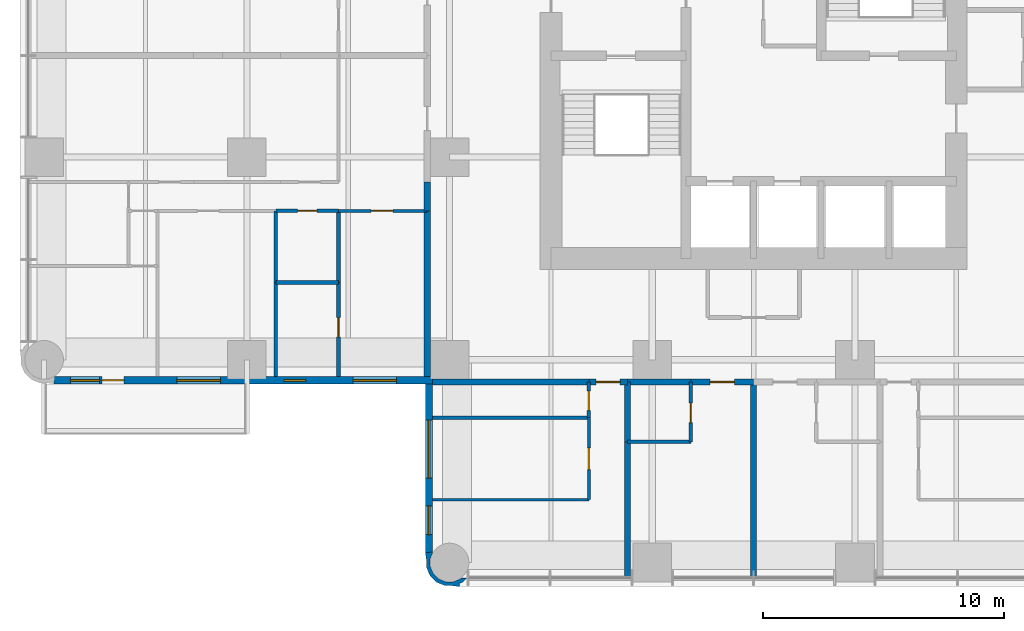
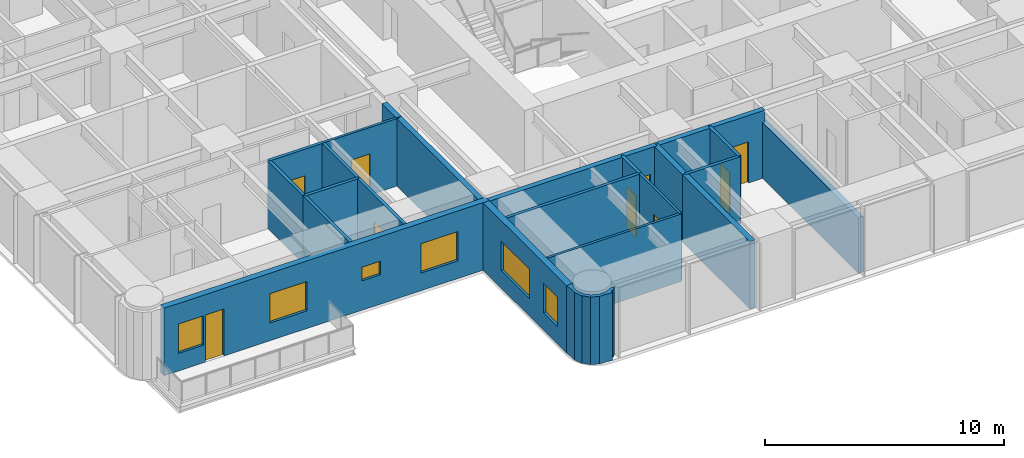
# One storey, part 6 of 14: 25 walls, 9 doors, 6 windows, 15 openings.
"""IFC4 building model written with IfcOpenShell, lengths in metres."""

from ifc_helpers import new_model, si_unit, direction, frame, frame_2d, origin, place, context, subcontext, project, spatial, polyline, rectangle, outline, extrude, material, layer, layer_set, type_object, element, fill, save


model = new_model("IFC4")

# Units and contexts
model_context = context("Model", 3, precision=1e-05, world=origin(), true_north=direction((0.0, 1.0)))
body_context = subcontext(model_context, "Body", "Model", "MODEL_VIEW")
ifc_project = project(units=[si_unit("LENGTHUNIT", "METRE"), si_unit("AREAUNIT", "SQUARE_METRE"), si_unit("VOLUMEUNIT", "CUBIC_METRE"), si_unit("PLANEANGLEUNIT", "RADIAN"), si_unit("MASSUNIT", "GRAM", prefix="KILO")], contexts=[model_context])

# Site, building, storey
site_placement = place(None, origin())
site = spatial("IfcSite", under=ifc_project, at=site_placement, CompositionType="ELEMENT")
building_placement = place(site_placement, origin())
building = spatial("IfcBuilding", under=site, at=building_placement, Name="Torre Alcanfor", CompositionType="ELEMENT")
storey_placement = place(building_placement, frame((0.0, 0.0, 159.300048828125)))
storey = spatial("IfcBuildingStorey", under=building, at=storey_placement, Name="L41", CompositionType="ELEMENT", Elevation=159.300048828125)

# Wall, opening, door
ifc_material_1 = material(Name="Concrete block masonry, hollow blocks NMX-C-404 9 MPa", Category="masonry")
ifc_layer_1 = layer(ifc_material_1, 0.25)
ifc_layer_set_1 = layer_set([ifc_layer_1], Name="Apartment entrance wall 250 EI 60")
wall_type_1 = type_object("IfcWallType", Name="Apartment entrance wall 250 EI 60", PredefinedType="PARTITIONING", material=ifc_layer_set_1)
wall_1_placement = place(storey_placement, frame((29.39990234375, 15.875, 0.0), z_axis=(0.0, 0.0, 1.0), x_axis=(-1.0, 0.0, 0.0)))
wall_1 = element("IfcWall", 1, at=wall_1_placement, inside=storey, type_object=wall_type_1, Name="Partition L41-CORR / L41-S2A-STUDIO", PredefinedType="PARTITIONING", context=body_context, shape_type="SweptSolid", body=[
    extrude(rectangle(XDim=2.599853515625, YDim=0.25, at=frame_2d((1.2998046875, 0.0))), origin(), (0.0, 0.0, 1.0), 3.449951171875),
])
opening_1_placement = place(wall_1_placement, frame((0.800048828125, 0.0, 0.0)))
opening_1 = element("IfcOpeningElement", 2, at=opening_1_placement, cuts=wall_1, Name="Opening D-A1", PredefinedType="OPENING", context=body_context, shape_type="SweptSolid", body=[
    extrude(rectangle(XDim=1.0, YDim=2.10009765625, at=frame_2d((0.5, 1.050048828125))), frame((0.0, 0.135009765625, 0.0), z_axis=(0.0, -1.0, 0.0), x_axis=(1.0, 0.0, 0.0)), (0.0, 0.0, 1.0), 0.27001953125),
])
ifc_material_2 = material(Name="Galvanised steel sheet ASTM A653", Category="steel")
door_type_1 = type_object("IfcDoorType", Name="Apartment entrance door FD60 1000x2100", OperationType="SINGLE_SWING_LEFT", PredefinedType="DOOR", material=ifc_material_2)
door_1_placement = place(opening_1_placement, origin())
door_1 = element("IfcDoor", 3, at=door_1_placement, inside=storey, type_object=door_type_1, Name="Apartment entrance L41-S2A", OperationType="SINGLE_SWING_LEFT", OverallHeight=2.10009765625, OverallWidth=1.0, PredefinedType="DOOR", context=body_context, shape_type="SweptSolid", body=[
    extrude(rectangle(XDim=1.0, YDim=2.10009765625, at=frame_2d((0.5, 1.050048828125))), frame((0.0, 0.02490234375, 0.0), z_axis=(0.0, -1.0, 0.0), x_axis=(1.0, 0.0, 0.0)), (0.0, 0.0, 1.0), 0.050048828125),
])
fill(opening_1, door_1)

# Wall
wall_2_placement = place(storey_placement, frame((26.800048828125, 15.875, 0.0), z_axis=(0.0, 0.0, 1.0), x_axis=(-1.0, 0.0, 0.0)))
element("IfcWall", 4, at=wall_2_placement, inside=storey, type_object=wall_type_1, Name="Partition L41-CORR / L41-S2A-BATH", PredefinedType="PARTITIONING", context=body_context, shape_type="SweptSolid", body=[
    extrude(rectangle(XDim=2.629150390625, YDim=0.25, at=frame_2d((1.314453125, 0.0))), origin(), (0.0, 0.0, 1.0), 3.449951171875),
])

# Wall, opening, door
wall_3_placement = place(storey_placement, frame((24.1708984375, 15.875, 0.0), z_axis=(0.0, 0.0, 1.0), x_axis=(-1.0, 0.0, 0.0)))
wall_3 = element("IfcWall", 5, at=wall_3_placement, inside=storey, type_object=wall_type_1, Name="Partition L41-CORR / L41-S2B-LIVING", PredefinedType="PARTITIONING", context=body_context, shape_type="SweptSolid", body=[
    extrude(rectangle(XDim=1.599853515625, YDim=0.25, at=frame_2d((0.7998046875, 0.0))), origin(), (0.0, 0.0, 1.0), 3.449951171875),
])
opening_2_placement = place(wall_3_placement, frame((0.300048828125, 0.0, 0.0)))
opening_2 = element("IfcOpeningElement", 6, at=opening_2_placement, cuts=wall_3, Name="Opening D-A1", PredefinedType="OPENING", context=body_context, shape_type="SweptSolid", body=[
    extrude(rectangle(XDim=1.0, YDim=2.10009765625, at=frame_2d((0.5, 1.050048828125))), frame((0.0, 0.135009765625, 0.0), z_axis=(0.0, -1.0, 0.0), x_axis=(1.0, 0.0, 0.0)), (0.0, 0.0, 1.0), 0.27001953125),
])
door_2_placement = place(opening_2_placement, origin())
door_2 = element("IfcDoor", 7, at=door_2_placement, inside=storey, type_object=door_type_1, Name="Apartment entrance L41-S2B", OperationType="SINGLE_SWING_LEFT", OverallHeight=2.10009765625, OverallWidth=1.0, PredefinedType="DOOR", context=body_context, shape_type="SweptSolid", body=[
    extrude(rectangle(XDim=1.0, YDim=2.10009765625, at=frame_2d((0.5, 1.050048828125))), frame((0.0, 0.02490234375, 0.0), z_axis=(0.0, -1.0, 0.0), x_axis=(1.0, 0.0, 0.0)), (0.0, 0.0, 1.0), 0.050048828125),
])
fill(opening_2, door_2)

# Walls
wall_4_placement = place(storey_placement, frame((22.571044921875, 15.875, 0.0), z_axis=(0.0, 0.0, 1.0), x_axis=(-1.0, 0.0, 0.0)))
element("IfcWall", 8, at=wall_4_placement, inside=storey, type_object=wall_type_1, Name="Partition L41-CORR / L41-S2B-BATH", PredefinedType="PARTITIONING", context=body_context, shape_type="SweptSolid", body=[
    extrude(rectangle(XDim=6.470947265625, YDim=0.25, at=frame_2d((3.2353515625, 0.0))), origin(), (0.0, 0.0, 1.0), 3.449951171875),
])
wall_5_placement = place(storey_placement, frame((15.875, 22.970947265625, 0.0), z_axis=(0.0, 0.0, 1.0), x_axis=(0.0, 1.0, 0.0)))
element("IfcWall", 9, at=wall_5_placement, inside=storey, type_object=wall_type_1, Name="Partition L41-CORR / L41-W1-HALL", PredefinedType="PARTITIONING", context=body_context, shape_type="SweptSolid", body=[
    extrude(rectangle(XDim=1.199951171875, YDim=0.25, at=frame_2d((0.60009765625, 0.0))), origin(), (0.0, 0.0, 1.0), 3.449951171875),
])
wall_6_placement = place(storey_placement, frame((15.875, 16.10009765625, 0.0), z_axis=(0.0, 0.0, 1.0), x_axis=(0.0, 1.0, 0.0)))
element("IfcWall", 10, at=wall_6_placement, inside=storey, type_object=wall_type_1, Name="Partition L41-CORR / L41-W1-SERV", PredefinedType="PARTITIONING", context=body_context, shape_type="SweptSolid", body=[
    extrude(rectangle(XDim=6.870849609375, YDim=0.25, at=frame_2d((3.435546875, 0.0))), origin(), (0.0, 0.0, 1.0), 3.449951171875),
])
ifc_material_3 = material(Name="Gypsum board on steel studs", Category="steel")
ifc_layer_2 = layer(ifc_material_3, 0.1201171875)
ifc_layer_set_2 = layer_set([ifc_layer_2], Name="Apartment partition 120")
wall_type_2 = type_object("IfcWallType", Name="Apartment partition 120", PredefinedType="PARTITIONING", material=ifc_layer_set_2)
wall_7_placement = place(storey_placement, frame((16.10009765625, 11.0, 0.0), z_axis=(0.0, 0.0, 1.0), x_axis=(1.0, 0.0, 0.0)))
element("IfcWall", 11, at=wall_7_placement, inside=storey, type_object=wall_type_2, Name="Partition L41-S2B-LIVING / L41-S2B-MASTER", PredefinedType="PARTITIONING", context=body_context, shape_type="SweptSolid", body=[
    extrude(rectangle(XDim=6.470947265625, YDim=0.1201171875, at=frame_2d((3.2353515625, 0.0))), origin(), (0.0, 0.0, 1.0), 3.449951171875),
])

# Wall, opening, door
wall_8_placement = place(storey_placement, frame((22.571044921875, 11.0, 0.0), z_axis=(0.0, 0.0, 1.0), x_axis=(0.0, 1.0, 0.0)))
wall_8 = element("IfcWall", 12, at=wall_8_placement, inside=storey, type_object=wall_type_2, Name="Partition L41-S2B-LIVING / L41-S2B-MASTER", PredefinedType="PARTITIONING", context=body_context, shape_type="SweptSolid", body=[
    extrude(rectangle(XDim=3.39990234375, YDim=0.1201171875, at=frame_2d((1.699951171875, 0.0))), origin(), (0.0, 0.0, 1.0), 3.449951171875),
])
opening_3_placement = place(wall_8_placement, frame((1.25, 0.0, 0.0)))
opening_3 = element("IfcOpeningElement", 13, at=opening_3_placement, cuts=wall_8, Name="Opening D-R1", PredefinedType="OPENING", context=body_context, shape_type="SweptSolid", body=[
    extrude(rectangle(XDim=0.89990234375, YDim=2.10009765625, at=frame_2d((0.449951171875, 1.050048828125))), frame((0.0, 0.070068359375, 0.0), z_axis=(0.0, -1.0, 0.0), x_axis=(1.0, 0.0, 0.0)), (0.0, 0.0, 1.0), 0.14013671875),
])
ifc_material_4 = material(Name="Timber", Category="wood")
door_type_2 = type_object("IfcDoorType", Name="Internal door 900x2100", OperationType="SINGLE_SWING_LEFT", PredefinedType="DOOR", material=ifc_material_4)
door_3_placement = place(opening_3_placement, origin())
door_3 = element("IfcDoor", 14, at=door_3_placement, inside=storey, type_object=door_type_2, Name="Door L41-S2B master", OperationType="SINGLE_SWING_LEFT", OverallHeight=2.10009765625, OverallWidth=0.89990234375, PredefinedType="DOOR", context=body_context, shape_type="SweptSolid", body=[
    extrude(rectangle(XDim=0.89990234375, YDim=2.10009765625, at=frame_2d((0.449951171875, 1.050048828125))), frame((0.0, 0.02490234375, 0.0), z_axis=(0.0, -1.0, 0.0), x_axis=(1.0, 0.0, 0.0)), (0.0, 0.0, 1.0), 0.050048828125),
])
fill(opening_3, door_3)

wall_9_placement = place(storey_placement, frame((12.199951171875, 22.970947265625, 0.0), z_axis=(0.0, 0.0, 1.0), x_axis=(1.0, 0.0, 0.0)))
wall_9 = element("IfcWall", 15, at=wall_9_placement, inside=storey, type_object=wall_type_2, Name="Partition L41-W1-HALL / L41-W1-SERV", PredefinedType="PARTITIONING", context=body_context, shape_type="SweptSolid", body=[
    extrude(rectangle(XDim=3.675048828125, YDim=0.1201171875, at=frame_2d((1.83740234375, 0.0))), origin(), (0.0, 0.0, 1.0), 3.449951171875),
])
opening_4_placement = place(wall_9_placement, frame((1.35009765625, 0.0, 0.0)))
opening_4 = element("IfcOpeningElement", 16, at=opening_4_placement, cuts=wall_9, Name="Opening D-R1", PredefinedType="OPENING", context=body_context, shape_type="SweptSolid", body=[
    extrude(rectangle(XDim=0.89990234375, YDim=2.10009765625, at=frame_2d((0.449951171875, 1.050048828125))), frame((0.0, 0.070068359375, 0.0), z_axis=(0.0, -1.0, 0.0), x_axis=(1.0, 0.0, 0.0)), (0.0, 0.0, 1.0), 0.14013671875),
])
door_4_placement = place(opening_4_placement, frame((0.89990234375, 0.0, 0.0), z_axis=(0.0, 0.0, 1.0), x_axis=(-1.0, 0.0, 0.0)))
door_4 = element("IfcDoor", 17, at=door_4_placement, inside=storey, type_object=door_type_2, Name="Door L41-W1 serv", OperationType="SINGLE_SWING_RIGHT", OverallHeight=2.10009765625, OverallWidth=0.89990234375, PredefinedType="DOOR", context=body_context, shape_type="SweptSolid", body=[
    extrude(rectangle(XDim=0.89990234375, YDim=2.10009765625, at=frame_2d((0.449951171875, 1.050048828125))), frame((0.0, 0.025146484375, 0.0), z_axis=(0.0, -1.0, 0.0), x_axis=(1.0, 0.0, 0.0)), (0.0, 0.0, 1.0), 0.050048828125),
])
fill(opening_4, door_4)

# Wall, openings, door, windows
ifc_material_5 = material(Name="Limestone cladding", Category="masonry")
ifc_layer_3 = layer(ifc_material_5, 0.0400390625, Name="Facing")
ifc_material_6 = material(Name="Ventilated air cavity")
ifc_layer_4 = layer(ifc_material_6, 0.02001953125, ventilated=True, Name="Ventilated joint")
ifc_material_7 = material(Name="Mineral wool insulation", Category="insulation")
ifc_layer_5 = layer(ifc_material_7, 0.10009765625, Name="Insulation")
ifc_material_8 = material(Name="Concrete f'c 35 MPa", Category="concrete")
ifc_layer_6 = layer(ifc_material_8, 0.139892578125, Name="Backing")
ifc_layer_set_3 = layer_set([ifc_layer_3, ifc_layer_4, ifc_layer_5, ifc_layer_6], Name="External wall stone-clad 300")
wall_type_3 = type_object("IfcWallType", Name="External wall stone-clad 300", PredefinedType="SOLIDWALL", material=ifc_layer_set_3)
wall_10_placement = place(storey_placement, frame((0.39990234375, 15.949951171875, 0.0), z_axis=(0.0, 0.0, 1.0), x_axis=(1.0, 0.0, 0.0)))
wall_10 = element("IfcWall", 18, at=wall_10_placement, inside=storey, type_object=wall_type_3, Name="External wall L41 3", PredefinedType="SOLIDWALL", context=body_context, shape_type="SweptSolid", body=[
    extrude(rectangle(XDim=15.7001953125, YDim=0.300048828125, at=frame_2d((7.85009765625, 0.0))), origin(), (0.0, 0.0, 1.0), 3.449951171875),
])
opening_5_placement = place(wall_10_placement, frame((12.39990234375, 0.0, 0.89990234375)))
opening_5 = element("IfcOpeningElement", 19, at=opening_5_placement, cuts=wall_10, Name="Opening W2", PredefinedType="OPENING", context=body_context, shape_type="SweptSolid", body=[
    extrude(rectangle(XDim=1.800048828125, YDim=1.5, at=frame_2d((0.89990234375, 0.75))), frame((0.0, 0.159912109375, 0.0), z_axis=(0.0, -1.0, 0.0), x_axis=(1.0, 0.0, 0.0)), (0.0, 0.0, 1.0), 0.320068359375),
])
opening_6_placement = place(wall_10_placement, frame((9.550048828125, 0.0, 1.5)))
opening_6 = element("IfcOpeningElement", 20, at=opening_6_placement, cuts=wall_10, Name="Opening W3", PredefinedType="OPENING", context=body_context, shape_type="SweptSolid", body=[
    extrude(rectangle(XDim=0.89990234375, YDim=0.699951171875, at=frame_2d((0.449951171875, 0.35009765625))), frame((0.0, 0.159912109375, 0.0), z_axis=(0.0, -1.0, 0.0), x_axis=(1.0, 0.0, 0.0)), (0.0, 0.0, 1.0), 0.320068359375),
])
opening_7_placement = place(wall_10_placement, frame((5.10009765625, 0.0, 0.89990234375)))
opening_7 = element("IfcOpeningElement", 21, at=opening_7_placement, cuts=wall_10, Name="Opening W2", PredefinedType="OPENING", context=body_context, shape_type="SweptSolid", body=[
    extrude(rectangle(XDim=1.800048828125, YDim=1.5, at=frame_2d((0.89990234375, 0.75))), frame((0.0, 0.159912109375, 0.0), z_axis=(0.0, -1.0, 0.0), x_axis=(1.0, 0.0, 0.0)), (0.0, 0.0, 1.0), 0.320068359375),
])
opening_8_placement = place(wall_10_placement, frame((2.0, 0.0, 0.0)))
opening_8 = element("IfcOpeningElement", 22, at=opening_8_placement, cuts=wall_10, Name="Opening D-B1", PredefinedType="OPENING", context=body_context, shape_type="SweptSolid", body=[
    extrude(rectangle(XDim=0.89990234375, YDim=2.39990234375, at=frame_2d((0.449951171875, 1.199951171875))), frame((0.0, 0.159912109375, 0.0), z_axis=(0.0, -1.0, 0.0), x_axis=(1.0, 0.0, 0.0)), (0.0, 0.0, 1.0), 0.320068359375),
])
opening_9_placement = place(wall_10_placement, frame((0.699951171875, 0.0, 0.89990234375)))
opening_9 = element("IfcOpeningElement", 23, at=opening_9_placement, cuts=wall_10, Name="Opening W4", PredefinedType="OPENING", context=body_context, shape_type="SweptSolid", body=[
    extrude(rectangle(XDim=1.199951171875, YDim=1.5, at=frame_2d((0.60009765625, 0.75))), frame((0.0, 0.159912109375, 0.0), z_axis=(0.0, -1.0, 0.0), x_axis=(1.0, 0.0, 0.0)), (0.0, 0.0, 1.0), 0.320068359375),
])
ifc_material_9 = material(Name="Aluminium and glass", Category="aluminium")
door_type_3 = type_object("IfcDoorType", Name="Balcony door glazed 900x2400", OperationType="SINGLE_SWING_LEFT", PredefinedType="DOOR", material=ifc_material_9)
door_5_placement = place(opening_8_placement, origin())
door_5 = element("IfcDoor", 24, at=door_5_placement, inside=storey, type_object=door_type_3, Name="Balcony door L41-W1", OperationType="SINGLE_SWING_RIGHT", OverallHeight=2.39990234375, OverallWidth=0.89990234375, PredefinedType="DOOR", context=body_context, shape_type="SweptSolid", body=[
    extrude(rectangle(XDim=0.89990234375, YDim=2.39990234375, at=frame_2d((0.449951171875, 1.199951171875))), frame((0.0, 0.02490234375, 0.0), z_axis=(0.0, -1.0, 0.0), x_axis=(1.0, 0.0, 0.0)), (0.0, 0.0, 1.0), 0.050048828125),
])
fill(opening_8, door_5)
ifc_material_10 = material(Name="Aluminium frame with clear double glazing", Category="aluminium")
window_type_1 = type_object("IfcWindowType", Name="Window bathroom 900x700", PartitioningType="SINGLE_PANEL", PredefinedType="WINDOW", material=ifc_material_10)
window_1_placement = place(opening_6_placement, origin())
window_1 = element("IfcWindow", 25, at=window_1_placement, inside=storey, type_object=window_type_1, Name="Window W3 L41-W1", OverallHeight=0.699951171875, OverallWidth=0.89990234375, PartitioningType="SINGLE_PANEL", PredefinedType="WINDOW", context=body_context, shape_type="SweptSolid", body=[
    extrude(rectangle(XDim=0.89990234375, YDim=0.699951171875, at=frame_2d((0.449951171875, 0.35009765625))), frame((0.0, 0.030029296875, 0.0), z_axis=(0.0, -1.0, 0.0), x_axis=(1.0, 0.0, 0.0)), (0.0, 0.0, 1.0), 0.06005859375),
])
fill(opening_6, window_1)
ifc_material_11 = material(Name="Aluminium frame with clear double glazing", Category="aluminium")
window_type_2 = type_object("IfcWindowType", Name="Window bedroom 1200x1500", PartitioningType="SINGLE_PANEL", PredefinedType="WINDOW", material=ifc_material_11)
window_2_placement = place(opening_9_placement, origin())
window_2 = element("IfcWindow", 26, at=window_2_placement, inside=storey, type_object=window_type_2, Name="Window W4 L41-W1", OverallHeight=1.5, OverallWidth=1.199951171875, PartitioningType="SINGLE_PANEL", PredefinedType="WINDOW", context=body_context, shape_type="SweptSolid", body=[
    extrude(rectangle(XDim=1.199951171875, YDim=1.5, at=frame_2d((0.60009765625, 0.75))), frame((0.0, 0.030029296875, 0.0), z_axis=(0.0, -1.0, 0.0), x_axis=(1.0, 0.0, 0.0)), (0.0, 0.0, 1.0), 0.06005859375),
])
fill(opening_9, window_2)
ifc_material_12 = material(Name="Aluminium frame with clear double glazing", Category="aluminium")
window_type_3 = type_object("IfcWindowType", Name="Window bedroom 1800x1500", PartitioningType="SINGLE_PANEL", PredefinedType="WINDOW", material=ifc_material_12)
window_3_placement = place(opening_5_placement, origin())
window_3 = element("IfcWindow", 27, at=window_3_placement, inside=storey, type_object=window_type_3, Name="Window W2 L41-W1", OverallHeight=1.5, OverallWidth=1.800048828125, PartitioningType="SINGLE_PANEL", PredefinedType="WINDOW", context=body_context, shape_type="SweptSolid", body=[
    extrude(rectangle(XDim=1.800048828125, YDim=1.5, at=frame_2d((0.89990234375, 0.75))), frame((0.0, 0.030029296875, 0.0), z_axis=(0.0, -1.0, 0.0), x_axis=(1.0, 0.0, 0.0)), (0.0, 0.0, 1.0), 0.06005859375),
])
fill(opening_5, window_3)
window_4_placement = place(opening_7_placement, origin())
window_4 = element("IfcWindow", 28, at=window_4_placement, inside=storey, type_object=window_type_3, Name="Window W2 L41-W1", OverallHeight=1.5, OverallWidth=1.800048828125, PartitioningType="SINGLE_PANEL", PredefinedType="WINDOW", context=body_context, shape_type="SweptSolid", body=[
    extrude(rectangle(XDim=1.800048828125, YDim=1.5, at=frame_2d((0.89990234375, 0.75))), frame((0.0, 0.030029296875, 0.0), z_axis=(0.0, -1.0, 0.0), x_axis=(1.0, 0.0, 0.0)), (0.0, 0.0, 1.0), 0.06005859375),
])
fill(opening_7, window_4)

# Wall, openings, windows
wall_11_placement = place(storey_placement, frame((15.949951171875, 15.800048828125, 0.0), z_axis=(0.0, 0.0, 1.0), x_axis=(0.0, -1.0, 0.0)))
wall_11 = element("IfcWall", 29, at=wall_11_placement, inside=storey, type_object=wall_type_3, Name="External wall L41 4", PredefinedType="SOLIDWALL", context=body_context, shape_type="SweptSolid", body=[
    extrude(rectangle(XDim=7.0, YDim=0.300048828125, at=frame_2d((3.5, 0.0))), origin(), (0.0, 0.0, 1.0), 3.449951171875),
])
opening_10_placement = place(wall_11_placement, frame((1.5, 0.0, 0.89990234375)))
opening_10 = element("IfcOpeningElement", 30, at=opening_10_placement, cuts=wall_11, Name="Opening W1", PredefinedType="OPENING", context=body_context, shape_type="SweptSolid", body=[
    extrude(rectangle(XDim=2.39990234375, YDim=1.5, at=frame_2d((1.199951171875, 0.75))), frame((0.0, 0.159912109375, 0.0), z_axis=(0.0, -1.0, 0.0), x_axis=(1.0, 0.0, 0.0)), (0.0, 0.0, 1.0), 0.320068359375),
])
opening_11_placement = place(wall_11_placement, frame((5.050048828125, 0.0, 0.89990234375)))
opening_11 = element("IfcOpeningElement", 31, at=opening_11_placement, cuts=wall_11, Name="Opening W4", PredefinedType="OPENING", context=body_context, shape_type="SweptSolid", body=[
    extrude(rectangle(XDim=1.199951171875, YDim=1.5, at=frame_2d((0.60009765625, 0.75))), frame((0.0, 0.159912109375, 0.0), z_axis=(0.0, -1.0, 0.0), x_axis=(1.0, 0.0, 0.0)), (0.0, 0.0, 1.0), 0.320068359375),
])
window_5_placement = place(opening_11_placement, origin())
window_5 = element("IfcWindow", 32, at=window_5_placement, inside=storey, type_object=window_type_2, Name="Window W4 L41-S2", OverallHeight=1.5, OverallWidth=1.199951171875, PartitioningType="SINGLE_PANEL", PredefinedType="WINDOW", context=body_context, shape_type="SweptSolid", body=[
    extrude(rectangle(XDim=1.199951171875, YDim=1.5, at=frame_2d((0.60009765625, 0.75))), frame((0.0, 0.030029296875, 0.0), z_axis=(0.0, -1.0, 0.0), x_axis=(1.0, 0.0, 0.0)), (0.0, 0.0, 1.0), 0.06005859375),
])
fill(opening_11, window_5)
ifc_material_13 = material(Name="Aluminium frame with clear double glazing", Category="aluminium")
window_type_4 = type_object("IfcWindowType", Name="Window bedroom 2400x1500", PartitioningType="SINGLE_PANEL", PredefinedType="WINDOW", material=ifc_material_13)
window_6_placement = place(opening_10_placement, origin())
window_6 = element("IfcWindow", 33, at=window_6_placement, inside=storey, type_object=window_type_4, Name="Window W1 L41-S2", OverallHeight=1.5, OverallWidth=2.39990234375, PartitioningType="SINGLE_PANEL", PredefinedType="WINDOW", context=body_context, shape_type="SweptSolid", body=[
    extrude(rectangle(XDim=2.39990234375, YDim=1.5, at=frame_2d((1.199951171875, 0.75))), frame((0.0, 0.030029296875, 0.0), z_axis=(0.0, -1.0, 0.0), x_axis=(1.0, 0.0, 0.0)), (0.0, 0.0, 1.0), 0.06005859375),
])
fill(opening_10, window_6)

# Walls
ifc_material_14 = material(Name="Concrete block masonry, hollow blocks NMX-C-404 9 MPa", Category="masonry")
ifc_layer_7 = layer(ifc_material_14, 0.25)
ifc_layer_set_4 = layer_set([ifc_layer_7], Name="Party wall 250 EI 60")
wall_type_4 = type_object("IfcWallType", Name="Party wall 250 EI 60", PredefinedType="PARTITIONING", material=ifc_layer_set_4)
wall_12_placement = place(storey_placement, frame((29.39990234375, 7.75, 0.0), z_axis=(0.0, 0.0, 1.0), x_axis=(0.0, 1.0, 0.0)))
element("IfcWall", 34, at=wall_12_placement, inside=storey, type_object=wall_type_4, Name="Partition L41-S1A-STUDIO / L41-S2A-STUDIO", PredefinedType="PARTITIONING", context=body_context, shape_type="SweptSolid", body=[
    extrude(rectangle(XDim=8.125, YDim=0.25, at=frame_2d((4.0625, 0.0))), origin(), (0.0, 0.0, 1.0), 2.847900390625),
])
wall_13_placement = place(storey_placement, frame((24.1708984375, 7.75, 0.0), z_axis=(0.0, 0.0, 1.0), x_axis=(0.0, 1.0, 0.0)))
element("IfcWall", 35, at=wall_13_placement, inside=storey, type_object=wall_type_4, Name="Partition L41-S2A-STUDIO / L41-S2B-LIVING", PredefinedType="PARTITIONING", context=body_context, shape_type="SweptSolid", body=[
    extrude(rectangle(XDim=5.64990234375, YDim=0.25, at=frame_2d((2.824951171875, 0.0))), origin(), (0.0, 0.0, 1.0), 3.449951171875),
])
wall_14_placement = place(storey_placement, frame((24.1708984375, 13.39990234375, 0.0), z_axis=(0.0, 0.0, 1.0), x_axis=(0.0, 1.0, 0.0)))
element("IfcWall", 36, at=wall_14_placement, inside=storey, type_object=wall_type_4, Name="Partition L41-S2A-BATH / L41-S2B-LIVING", PredefinedType="PARTITIONING", context=body_context, shape_type="SweptSolid", body=[
    extrude(rectangle(XDim=2.47509765625, YDim=0.25, at=frame_2d((1.237548828125, 0.0))), origin(), (0.0, 0.0, 1.0), 3.449951171875),
])
ifc_layer_8 = layer(ifc_material_5, 0.0400390625, Name="Facing")
ifc_layer_9 = layer(ifc_material_6, 0.02001953125, ventilated=True, Name="Ventilated joint")
ifc_layer_10 = layer(ifc_material_7, 0.10009765625, Name="Insulation")
ifc_layer_11 = layer(ifc_material_8, 0.139892578125, Name="Backing")
ifc_layer_set_5 = layer_set([ifc_layer_8, ifc_layer_9, ifc_layer_10, ifc_layer_11], Name="Rounded corner pier stone-clad 300")
wall_type_5 = type_object("IfcWallType", Name="Rounded corner pier stone-clad 300", PredefinedType="SOLIDWALL", material=ifc_layer_set_5)
wall_15_placement = place(storey_placement, frame((15.982940512, 8.726823795, 0.0), z_axis=(0.0, 0.0, 1.0), x_axis=(-0.343276641956, -0.93923434088, 0.0)))
element("IfcWall", 37, at=wall_15_placement, inside=storey, type_object=wall_type_5, Name="Corner pier L41 15", PredefinedType="SOLIDWALL", context=body_context, shape_type="SweptSolid", body=[
    extrude(outline(polyline([(0.8285188621172053, 1.5985593448955209), (0.6965961152022397, 1.5690588556644411), (0.6041961706613557, 1.669674810951586), (0.3940973255728224, 1.767303623446145), (0.47128428534856764, 1.55611347990365), (0.5085447362659081, 1.5387992791780876), (0.7240402358503313, 1.3040772160031127), (0.8334093808094493, 1.0048338530031606), (0.8200582319080854, 0.6864716314609828), (0.6857640531711582, 0.3974683020769049), (0.4510419899961833, 0.18197280249248177), (0.15179862699623123, 0.07260365753336384), (-0.11622928371084919, 0.08407628105020303), (-0.1273371975026375, 0.0781969477675098), (-0.14614022874094865, 0.07132471030647711), (-0.0059930226407584886, -0.19691459363495123), (0.26574754989690047, -0.054967852634112954), (0.535410534485363, 0.043590089489965705), (0.8166395849446566, 0.30181686768145743), (0.9775598034528271, 0.6481198820896807), (0.9938114202888776, 1.0296668379252687), (0.8951696703908839, 1.299559127772735), (0.8285188621172053, 1.5985593448955209)])), origin(), (0.0, 0.0, 1.0), 3.449951171875),
])
ifc_material_15 = material(Name="Cement board on steel studs", Category="steel")
ifc_layer_12 = layer(ifc_material_15, 0.14990234375)
ifc_layer_set_6 = layer_set([ifc_layer_12], Name="Wet area partition 150")
wall_type_6 = type_object("IfcWallType", Name="Wet area partition 150", PredefinedType="PARTITIONING", material=ifc_layer_set_6)
wall_16_placement = place(storey_placement, frame((24.1708984375, 13.39990234375, 0.0), z_axis=(0.0, 0.0, 1.0), x_axis=(1.0, 0.0, 0.0)))
element("IfcWall", 38, at=wall_16_placement, inside=storey, type_object=wall_type_6, Name="Partition L41-S2A-STUDIO / L41-S2A-BATH", PredefinedType="PARTITIONING", context=body_context, shape_type="SweptSolid", body=[
    extrude(rectangle(XDim=2.629150390625, YDim=0.14990234375, at=frame_2d((1.314453125, 0.0))), origin(), (0.0, 0.0, 1.0), 3.449951171875),
])

# Wall, opening, door
wall_17_placement = place(storey_placement, frame((26.800048828125, 13.39990234375, 0.0), z_axis=(0.0, 0.0, 1.0), x_axis=(0.0, 1.0, 0.0)))
wall_17 = element("IfcWall", 39, at=wall_17_placement, inside=storey, type_object=wall_type_6, Name="Partition L41-S2A-STUDIO / L41-S2A-BATH", PredefinedType="PARTITIONING", context=body_context, shape_type="SweptSolid", body=[
    extrude(rectangle(XDim=2.47509765625, YDim=0.14990234375, at=frame_2d((1.237548828125, 0.0))), origin(), (0.0, 0.0, 1.0), 3.449951171875),
])
opening_12_placement = place(wall_17_placement, frame((0.800048828125, 0.0, 0.0)))
opening_12 = element("IfcOpeningElement", 40, at=opening_12_placement, cuts=wall_17, Name="Opening D-R2", PredefinedType="OPENING", context=body_context, shape_type="SweptSolid", body=[
    extrude(rectangle(XDim=0.800048828125, YDim=2.10009765625, at=frame_2d((0.39990234375, 1.050048828125))), frame((0.0, 0.0849609375, 0.0), z_axis=(0.0, -1.0, 0.0), x_axis=(1.0, 0.0, 0.0)), (0.0, 0.0, 1.0), 0.169921875),
])
ifc_material_16 = material(Name="Timber", Category="wood")
door_type_4 = type_object("IfcDoorType", Name="Bathroom door 800x2100", OperationType="SINGLE_SWING_LEFT", PredefinedType="DOOR", material=ifc_material_16)
door_6_placement = place(opening_12_placement, origin())
door_6 = element("IfcDoor", 41, at=door_6_placement, inside=storey, type_object=door_type_4, Name="Door L41-S2A bath", OperationType="SINGLE_SWING_LEFT", OverallHeight=2.10009765625, OverallWidth=0.800048828125, PredefinedType="DOOR", context=body_context, shape_type="SweptSolid", body=[
    extrude(rectangle(XDim=0.800048828125, YDim=2.10009765625, at=frame_2d((0.39990234375, 1.050048828125))), frame((0.0, 0.02490234375, 0.0), z_axis=(0.0, -1.0, 0.0), x_axis=(1.0, 0.0, 0.0)), (0.0, 0.0, 1.0), 0.050048828125),
])
fill(opening_12, door_6)

wall_18_placement = place(storey_placement, frame((22.571044921875, 14.39990234375, 0.0), z_axis=(0.0, 0.0, 1.0), x_axis=(0.0, 1.0, 0.0)))
wall_18 = element("IfcWall", 42, at=wall_18_placement, inside=storey, type_object=wall_type_6, Name="Partition L41-S2B-LIVING / L41-S2B-BATH", PredefinedType="PARTITIONING", context=body_context, shape_type="SweptSolid", body=[
    extrude(rectangle(XDim=1.47509765625, YDim=0.14990234375, at=frame_2d((0.737548828125, 0.0))), origin(), (0.0, 0.0, 1.0), 3.449951171875),
])
opening_13_placement = place(wall_18_placement, frame((0.300048828125, 0.0, 0.0)))
opening_13 = element("IfcOpeningElement", 43, at=opening_13_placement, cuts=wall_18, Name="Opening D-R2", PredefinedType="OPENING", context=body_context, shape_type="SweptSolid", body=[
    extrude(rectangle(XDim=0.800048828125, YDim=2.10009765625, at=frame_2d((0.39990234375, 1.050048828125))), frame((0.0, 0.0849609375, 0.0), z_axis=(0.0, -1.0, 0.0), x_axis=(1.0, 0.0, 0.0)), (0.0, 0.0, 1.0), 0.169921875),
])
door_7_placement = place(opening_13_placement, origin())
door_7 = element("IfcDoor", 44, at=door_7_placement, inside=storey, type_object=door_type_4, Name="Door L41-S2B bath", OperationType="SINGLE_SWING_LEFT", OverallHeight=2.10009765625, OverallWidth=0.800048828125, PredefinedType="DOOR", context=body_context, shape_type="SweptSolid", body=[
    extrude(rectangle(XDim=0.800048828125, YDim=2.10009765625, at=frame_2d((0.39990234375, 1.050048828125))), frame((0.0, 0.02490234375, 0.0), z_axis=(0.0, -1.0, 0.0), x_axis=(1.0, 0.0, 0.0)), (0.0, 0.0, 1.0), 0.050048828125),
])
fill(opening_13, door_7)

# Wall
wall_19_placement = place(storey_placement, frame((22.571044921875, 14.39990234375, 0.0), z_axis=(0.0, 0.0, 1.0), x_axis=(-1.0, 0.0, 0.0)))
element("IfcWall", 45, at=wall_19_placement, inside=storey, type_object=wall_type_6, Name="Partition L41-S2B-BATH / L41-S2B-MASTER", PredefinedType="PARTITIONING", context=body_context, shape_type="SweptSolid", body=[
    extrude(rectangle(XDim=6.470947265625, YDim=0.14990234375, at=frame_2d((3.2353515625, 0.0))), origin(), (0.0, 0.0, 1.0), 3.449951171875),
])

# Wall, opening, door
wall_20_placement = place(storey_placement, frame((9.60009765625, 22.970947265625, 0.0), z_axis=(0.0, 0.0, 1.0), x_axis=(1.0, 0.0, 0.0)))
wall_20 = element("IfcWall", 46, at=wall_20_placement, inside=storey, type_object=wall_type_6, Name="Partition L41-W1-HALL / L41-W1-BATH1", PredefinedType="PARTITIONING", context=body_context, shape_type="SweptSolid", body=[
    extrude(rectangle(XDim=2.599853515625, YDim=0.14990234375, at=frame_2d((1.2998046875, 0.0))), origin(), (0.0, 0.0, 1.0), 3.449951171875),
])
opening_14_placement = place(wall_20_placement, frame((0.89990234375, 0.0, 0.0)))
opening_14 = element("IfcOpeningElement", 47, at=opening_14_placement, cuts=wall_20, Name="Opening D-R2", PredefinedType="OPENING", context=body_context, shape_type="SweptSolid", body=[
    extrude(rectangle(XDim=0.800048828125, YDim=2.10009765625, at=frame_2d((0.39990234375, 1.050048828125))), frame((0.0, 0.0849609375, 0.0), z_axis=(0.0, -1.0, 0.0), x_axis=(1.0, 0.0, 0.0)), (0.0, 0.0, 1.0), 0.169921875),
])
door_8_placement = place(opening_14_placement, frame((0.800048828125, 0.0, 0.0), z_axis=(0.0, 0.0, 1.0), x_axis=(-1.0, 0.0, 0.0)))
door_8 = element("IfcDoor", 48, at=door_8_placement, inside=storey, type_object=door_type_4, Name="Door L41-W1 bath1", OperationType="SINGLE_SWING_RIGHT", OverallHeight=2.10009765625, OverallWidth=0.800048828125, PredefinedType="DOOR", context=body_context, shape_type="SweptSolid", body=[
    extrude(rectangle(XDim=0.800048828125, YDim=2.10009765625, at=frame_2d((0.400146484375, 1.050048828125))), frame((0.0, 0.025146484375, 0.0), z_axis=(0.0, -1.0, 0.0), x_axis=(1.0, 0.0, 0.0)), (0.0, 0.0, 1.0), 0.050048828125),
])
fill(opening_14, door_8)

# Wall
wall_21_placement = place(storey_placement, frame((12.199951171875, 22.970947265625, 0.0), z_axis=(0.0, 0.0, 1.0), x_axis=(0.0, -1.0, 0.0)))
element("IfcWall", 49, at=wall_21_placement, inside=storey, type_object=wall_type_6, Name="Partition L41-W1-SERV / L41-W1-BATH1", PredefinedType="PARTITIONING", context=body_context, shape_type="SweptSolid", body=[
    extrude(rectangle(XDim=2.970947265625, YDim=0.14990234375, at=frame_2d((1.4853515625, 0.0))), origin(), (0.0, 0.0, 1.0), 3.449951171875),
])

# Wall, opening, door
wall_22_placement = place(storey_placement, frame((12.199951171875, 20.0, 0.0), z_axis=(0.0, 0.0, 1.0), x_axis=(0.0, -1.0, 0.0)))
wall_22 = element("IfcWall", 50, at=wall_22_placement, inside=storey, type_object=wall_type_6, Name="Partition L41-W1-SERV / L41-W1-SBATH", PredefinedType="PARTITIONING", context=body_context, shape_type="SweptSolid", body=[
    extrude(rectangle(XDim=3.89990234375, YDim=0.14990234375, at=frame_2d((1.949951171875, 0.0))), origin(), (0.0, 0.0, 1.0), 3.449951171875),
])
opening_15_placement = place(wall_22_placement, frame((1.449951171875, 0.0, 0.0)))
opening_15 = element("IfcOpeningElement", 51, at=opening_15_placement, cuts=wall_22, Name="Opening D-R2", PredefinedType="OPENING", context=body_context, shape_type="SweptSolid", body=[
    extrude(rectangle(XDim=0.800048828125, YDim=2.10009765625, at=frame_2d((0.39990234375, 1.050048828125))), frame((0.0, 0.0849609375, 0.0), z_axis=(0.0, -1.0, 0.0), x_axis=(1.0, 0.0, 0.0)), (0.0, 0.0, 1.0), 0.169921875),
])
door_9_placement = place(opening_15_placement, frame((0.800048828125, 0.0, 0.0), z_axis=(0.0, 0.0, 1.0), x_axis=(-1.0, 0.0, 0.0)))
door_9 = element("IfcDoor", 52, at=door_9_placement, inside=storey, type_object=door_type_4, Name="Door L41-W1 sbath", OperationType="SINGLE_SWING_RIGHT", OverallHeight=2.10009765625, OverallWidth=0.800048828125, PredefinedType="DOOR", context=body_context, shape_type="SweptSolid", body=[
    extrude(rectangle(XDim=0.800048828125, YDim=2.10009765625, at=frame_2d((0.400146484375, 1.050048828125))), frame((0.0, 0.025146484375, 0.0), z_axis=(0.0, -1.0, 0.0), x_axis=(1.0, 0.0, 0.0)), (0.0, 0.0, 1.0), 0.050048828125),
])
fill(opening_15, door_9)

# Walls
wall_23_placement = place(storey_placement, frame((9.60009765625, 20.0, 0.0), z_axis=(0.0, 0.0, 1.0), x_axis=(1.0, 0.0, 0.0)))
element("IfcWall", 53, at=wall_23_placement, inside=storey, type_object=wall_type_6, Name="Partition L41-W1-BATH1 / L41-W1-SBATH", PredefinedType="PARTITIONING", context=body_context, shape_type="SweptSolid", body=[
    extrude(rectangle(XDim=2.599853515625, YDim=0.14990234375, at=frame_2d((1.2998046875, 0.0))), origin(), (0.0, 0.0, 1.0), 3.449951171875),
])
wall_24_placement = place(storey_placement, frame((9.60009765625, 22.970947265625, 0.0), z_axis=(0.0, 0.0, 1.0), x_axis=(0.0, -1.0, 0.0)))
element("IfcWall", 54, at=wall_24_placement, inside=storey, type_object=wall_type_6, Name="Partition L41-W1-BATH1 / L41-W1-BED3", PredefinedType="PARTITIONING", context=body_context, shape_type="SweptSolid", body=[
    extrude(rectangle(XDim=2.970947265625, YDim=0.14990234375, at=frame_2d((1.4853515625, 0.0))), origin(), (0.0, 0.0, 1.0), 3.449951171875),
])
wall_25_placement = place(storey_placement, frame((9.60009765625, 20.0, 0.0), z_axis=(0.0, 0.0, 1.0), x_axis=(0.0, -1.0, 0.0)))
element("IfcWall", 55, at=wall_25_placement, inside=storey, type_object=wall_type_6, Name="Partition L41-W1-SBATH / L41-W1-BED3", PredefinedType="PARTITIONING", context=body_context, shape_type="SweptSolid", body=[
    extrude(rectangle(XDim=3.89990234375, YDim=0.14990234375, at=frame_2d((1.949951171875, 0.0))), origin(), (0.0, 0.0, 1.0), 3.449951171875),
])

save(model, "model.ifc")
